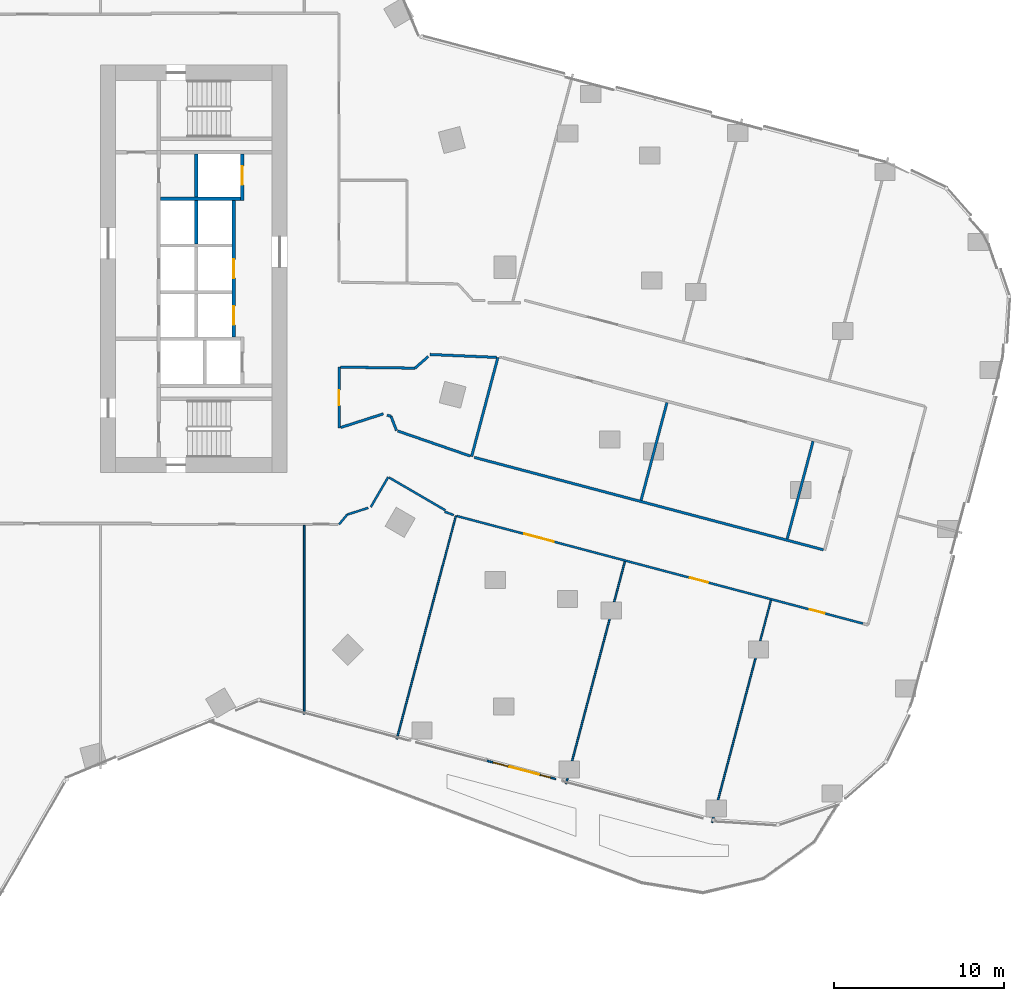
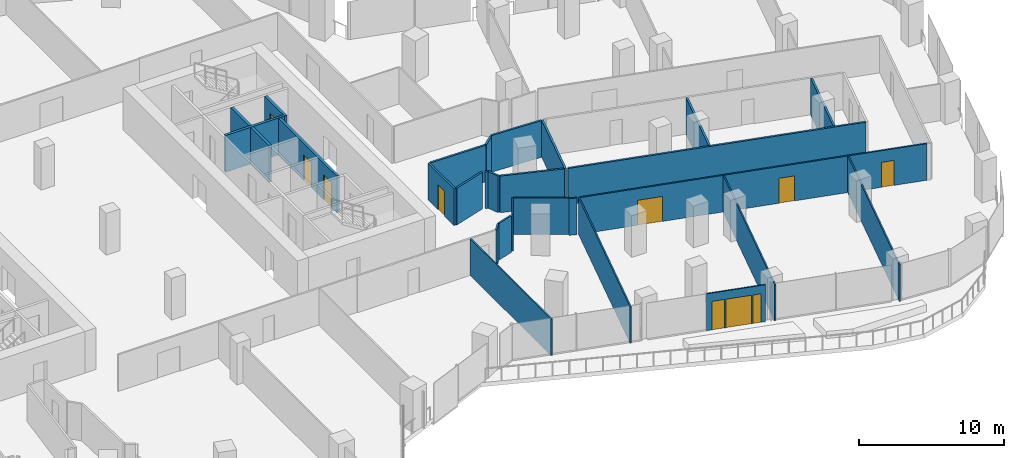
# One storey, part 25 of 34: 28 walls, 8 doors, 2 windows, 10 openings.
"""IFC4 building model written with IfcOpenShell, lengths in metres."""

from ifc_helpers import new_model, si_unit, direction, frame, frame_2d, origin, place, context, subcontext, project, spatial, rectangle, extrude, material, layer, layer_set, type_object, element, fill, save


model = new_model("IFC4")

# Units and contexts
model_context = context("Model", 3, precision=1e-05, world=origin(), true_north=direction((0.0, 1.0)))
body_context = subcontext(model_context, "Body", "Model", "MODEL_VIEW")
ifc_project = project(units=[si_unit("LENGTHUNIT", "METRE"), si_unit("AREAUNIT", "SQUARE_METRE"), si_unit("VOLUMEUNIT", "CUBIC_METRE"), si_unit("PLANEANGLEUNIT", "RADIAN"), si_unit("MASSUNIT", "GRAM", prefix="KILO")], contexts=[model_context])

# Site, building, storey
site_placement = place(None, origin())
site = spatial("IfcSite", under=ifc_project, at=site_placement, CompositionType="ELEMENT")
building_placement = place(site_placement, origin())
building = spatial("IfcBuilding", under=site, at=building_placement, Name="Orlundy Tower", CompositionType="ELEMENT")
storey_placement = place(building_placement, frame((0.0, 0.0, 102.199951171875)))
storey = spatial("IfcBuildingStorey", under=building, at=storey_placement, Name="L25", CompositionType="ELEMENT", Elevation=102.199951171875)

# Walls
ifc_material_1 = material(Name="Gypsum board partition")
ifc_layer_1 = layer(ifc_material_1, 0.10009765625)
ifc_layer_set_1 = layer_set([ifc_layer_1], Name="Floor partition 100")
wall_type_1 = type_object("IfcWallType", Name="Floor partition 100", PredefinedType="PARTITIONING", material=ifc_layer_set_1)
wall_1_placement = place(storey_placement, frame((44.01904296875, -32.60595703125, 0.0), z_axis=(0.0, 0.0, 1.0), x_axis=(0.25602242295, 0.966670843124, 0.0)))
element("IfcWall", 1, at=wall_1_placement, inside=storey, type_object=wall_type_1, Name="wall-int-L25-071", PredefinedType="PARTITIONING", context=body_context, shape_type="SweptSolid", body=[
    extrude(rectangle(XDim=13.5380859375, YDim=0.10009765625, at=frame_2d((6.76904296875, 0.0))), origin(), (0.0, 0.0, 1.0), 3.080078125),
])
wall_2_placement = place(storey_placement, frame((35.4169921875, -30.327880859375, 0.0), z_axis=(0.0, 0.0, 1.0), x_axis=(0.255955015068, 0.966688693562, 0.0)))
element("IfcWall", 2, at=wall_2_placement, inside=storey, type_object=wall_type_1, Name="wall-int-L25-074", PredefinedType="PARTITIONING", context=body_context, shape_type="SweptSolid", body=[
    extrude(rectangle(XDim=13.537841796875, YDim=0.10009765625, at=frame_2d((6.76904296875, 0.0))), origin(), (0.0, 0.0, 1.0), 3.080078125),
])
wall_3_placement = place(storey_placement, frame((25.452880859375, -27.68896484375, 0.0), z_axis=(0.0, 0.0, 1.0), x_axis=(0.255987300487, 0.966680144613, 0.0)))
element("IfcWall", 3, at=wall_3_placement, inside=storey, type_object=wall_type_1, Name="wall-int-L25-077", PredefinedType="PARTITIONING", context=body_context, shape_type="SweptSolid", body=[
    extrude(rectangle(XDim=13.59912109375, YDim=0.10009765625, at=frame_2d((6.799560546875, 0.0))), origin(), (0.0, 0.0, 1.0), 3.080078125),
])
wall_4_placement = place(storey_placement, frame((20.0, -26.2451171875, 0.0), z_axis=(0.0, 0.0, 1.0), x_axis=(0.0, 1.0, 0.0)))
element("IfcWall", 4, at=wall_4_placement, inside=storey, type_object=wall_type_1, Name="wall-int-L25-088", PredefinedType="PARTITIONING", context=body_context, shape_type="SweptSolid", body=[
    extrude(rectangle(XDim=11.131103515625, YDim=0.10009765625, at=frame_2d((5.5654296875, 0.0))), origin(), (0.0, 0.0, 1.0), 3.080078125),
])
ifc_material_2 = material(Name="Gypsum board partition, double layer")
ifc_layer_2 = layer(ifc_material_2, 0.125)
ifc_layer_set_2 = layer_set([ifc_layer_2], Name="Floor partition 125")
wall_type_2 = type_object("IfcWallType", Name="Floor partition 125", PredefinedType="PARTITIONING", material=ifc_layer_set_2)
wall_5_placement = place(storey_placement, frame((25.001953125, -12.29296875, 0.0), z_axis=(0.0, 0.0, 1.0), x_axis=(0.864207961663, -0.503134772201, 0.0)))
element("IfcWall", 5, at=wall_5_placement, inside=storey, type_object=wall_type_2, Name="wall-int-L25-008", PredefinedType="PARTITIONING", context=body_context, shape_type="SweptSolid", body=[
    extrude(rectangle(XDim=3.835693359375, YDim=0.125, at=frame_2d((1.91796875, 0.0))), origin(), (0.0, 0.0, 1.0), 3.080078125),
])
wall_6_placement = place(storey_placement, frame((28.27099609375, -14.303955078125, 0.0), z_axis=(0.0, 0.0, 1.0), x_axis=(0.936771746221, -0.34994098857, 0.0)))
element("IfcWall", 6, at=wall_6_placement, inside=storey, type_object=wall_type_2, Name="wall-int-L25-023", PredefinedType="PARTITIONING", context=body_context, shape_type="SweptSolid", body=[
    extrude(rectangle(XDim=0.56591796875, YDim=0.125, at=frame_2d((0.282958984375, 0.0))), origin(), (0.0, 0.0, 1.0), 3.080078125),
])

# Wall, openings, doors
wall_7_placement = place(storey_placement, frame((52.916015625, -20.89208984375, 0.0), z_axis=(0.0, 0.0, 1.0), x_axis=(-0.966698340064, 0.255918579469, 0.0)))
wall_7 = element("IfcWall", 7, at=wall_7_placement, inside=storey, type_object=wall_type_2, Name="wall-int-L25-027", PredefinedType="PARTITIONING", context=body_context, shape_type="SweptSolid", body=[
    extrude(rectangle(XDim=24.758544921875, YDim=0.125, at=frame_2d((12.37939453125, 0.0))), origin(), (0.0, 0.0, 1.0), 3.080078125),
])
opening_1_placement = place(wall_7_placement, frame((2.3505859375, 0.0, 0.0)))
opening_1 = element("IfcOpeningElement", 8, at=opening_1_placement, cuts=wall_7, Name="Opening 20106", PredefinedType="OPENING", context=body_context, shape_type="SweptSolid", body=[
    extrude(rectangle(XDim=0.89990234375, YDim=2.10009765625, at=frame_2d((0.449951171875, 1.050048828125))), frame((0.0, 0.072509765625, 0.0), z_axis=(0.0, -1.0, 0.0), x_axis=(1.0, 0.0, 0.0)), (0.0, 0.0, 1.0), 0.14501953125),
])
opening_2_placement = place(wall_7_placement, frame((18.850830078125, 0.0, 0.0)))
opening_2 = element("IfcOpeningElement", 9, at=opening_2_placement, cuts=wall_7, Name="Opening 20107", PredefinedType="OPENING", context=body_context, shape_type="SweptSolid", body=[
    extrude(rectangle(XDim=1.800048828125, YDim=2.10009765625, at=frame_2d((0.89990234375, 1.050048828125))), frame((0.0, 0.072509765625, 0.0), z_axis=(0.0, -1.0, 0.0), x_axis=(1.0, 0.0, 0.0)), (0.0, 0.0, 1.0), 0.14501953125),
])
opening_3_placement = place(wall_7_placement, frame((9.451416015625, 0.0, 0.0)))
opening_3 = element("IfcOpeningElement", 10, at=opening_3_placement, cuts=wall_7, Name="Opening 20108", PredefinedType="OPENING", context=body_context, shape_type="SweptSolid", body=[
    extrude(rectangle(XDim=1.10009765625, YDim=2.10009765625, at=frame_2d((0.550048828125, 1.050048828125))), frame((0.0, 0.072509765625, 0.0), z_axis=(0.0, -1.0, 0.0), x_axis=(1.0, 0.0, 0.0)), (0.0, 0.0, 1.0), 0.14501953125),
])
ifc_material_3 = material(Name="Timber door leaf", Category="wood")
door_type_1 = type_object("IfcDoorType", Name="Floor door double 1800 FD30S", OperationType="NOTDEFINED", PredefinedType="DOOR", material=ifc_material_3)
door_1_placement = place(opening_2_placement, origin())
door_1 = element("IfcDoor", 11, at=door_1_placement, inside=storey, type_object=door_type_1, Name="Door 20107", OperationType="DOUBLE_DOOR_SINGLE_SWING", OverallHeight=2.10009765625, OverallWidth=1.800048828125, PredefinedType="DOOR", context=body_context, shape_type="SweptSolid", body=[
    extrude(rectangle(XDim=1.800048828125, YDim=2.10009765625, at=frame_2d((0.89990234375, 1.050048828125))), frame((0.0, 0.02490234375, 0.0), z_axis=(0.0, -1.0, 0.0), x_axis=(1.0, 0.0, 0.0)), (0.0, 0.0, 1.0), 0.050048828125),
])
fill(opening_2, door_1)
ifc_material_4 = material(Name="Timber door leaf", Category="wood")
door_type_2 = type_object("IfcDoorType", Name="Floor door single 900 FD30S", OperationType="NOTDEFINED", PredefinedType="DOOR", material=ifc_material_4)
door_2_placement = place(opening_1_placement, origin())
door_2 = element("IfcDoor", 12, at=door_2_placement, inside=storey, type_object=door_type_2, Name="Door 20106", OperationType="SINGLE_SWING_LEFT", OverallHeight=2.10009765625, OverallWidth=0.89990234375, PredefinedType="DOOR", context=body_context, shape_type="SweptSolid", body=[
    extrude(rectangle(XDim=0.89990234375, YDim=2.10009765625, at=frame_2d((0.449951171875, 1.050048828125))), frame((0.0, 0.02490234375, 0.0), z_axis=(0.0, -1.0, 0.0), x_axis=(1.0, 0.0, 0.0)), (0.0, 0.0, 1.0), 0.050048828125),
])
fill(opening_1, door_2)
ifc_material_5 = material(Name="Timber door leaf", Category="wood")
door_type_3 = type_object("IfcDoorType", Name="Floor door xwide 1100 FD30S", OperationType="NOTDEFINED", PredefinedType="DOOR", material=ifc_material_5)
door_3_placement = place(opening_3_placement, origin())
door_3 = element("IfcDoor", 13, at=door_3_placement, inside=storey, type_object=door_type_3, Name="Door 20108", OperationType="SINGLE_SWING_LEFT", OverallHeight=2.10009765625, OverallWidth=1.10009765625, PredefinedType="DOOR", context=body_context, shape_type="SweptSolid", body=[
    extrude(rectangle(XDim=1.10009765625, YDim=2.10009765625, at=frame_2d((0.550048828125, 1.050048828125))), frame((0.0, 0.02490234375, 0.0), z_axis=(0.0, -1.0, 0.0), x_axis=(1.0, 0.0, 0.0)), (0.0, 0.0, 1.0), 0.050048828125),
])
fill(opening_3, door_3)

# Walls
wall_8_placement = place(storey_placement, frame((22.533935546875, -14.472900390625, 0.0), z_axis=(0.0, 0.0, 1.0), x_axis=(0.952378042639, 0.304919766331, 0.0)))
element("IfcWall", 14, at=wall_8_placement, inside=storey, type_object=wall_type_2, Name="wall-int-L25-052", PredefinedType="PARTITIONING", context=body_context, shape_type="SweptSolid", body=[
    extrude(rectangle(XDim=1.29150390625, YDim=0.125, at=frame_2d((0.645751953125, 0.0))), origin(), (0.0, 0.0, 1.0), 3.080078125),
])
wall_9_placement = place(storey_placement, frame((23.9189453125, -14.029052734375, 0.0), z_axis=(0.0, 0.0, 1.0), x_axis=(0.503232487024, 0.864151065499, 0.0)))
element("IfcWall", 15, at=wall_9_placement, inside=storey, type_object=wall_type_2, Name="wall-int-L25-055", PredefinedType="PARTITIONING", context=body_context, shape_type="SweptSolid", body=[
    extrude(rectangle(XDim=2.044921875, YDim=0.125, at=frame_2d((1.0224609375, 0.0))), origin(), (0.0, 0.0, 1.0), 3.080078125),
])
wall_10_placement = place(storey_placement, frame((22.051025390625, -15.050048828125, 0.0), z_axis=(0.0, 0.0, 1.0), x_axis=(0.641714843871, 0.766943321997, 0.0)))
element("IfcWall", 16, at=wall_10_placement, inside=storey, type_object=wall_type_2, Name="wall-int-L25-085", PredefinedType="PARTITIONING", context=body_context, shape_type="SweptSolid", body=[
    extrude(rectangle(XDim=0.75244140625, YDim=0.125, at=frame_2d((0.376220703125, 0.0))), origin(), (0.0, 0.0, 1.0), 3.080078125),
])
ifc_material_6 = material(Name="Blockwork shaft wall", Category="masonry")
ifc_layer_3 = layer(ifc_material_6, 0.14990234375)
ifc_layer_set_3 = layer_set([ifc_layer_3], Name="Floor shaft wall 150")
wall_type_3 = type_object("IfcWallType", Name="Floor shaft wall 150", PredefinedType="PARTITIONING", material=ifc_layer_set_3)
wall_11_placement = place(storey_placement, frame((29.787109375, -11.029052734375, 0.0), z_axis=(0.0, 0.0, 1.0), x_axis=(-0.945116082169, 0.326734741381, 0.0)))
element("IfcWall", 17, at=wall_11_placement, inside=storey, type_object=wall_type_3, Name="wall-int-L25-024", PredefinedType="PARTITIONING", context=body_context, shape_type="SweptSolid", body=[
    extrude(rectangle(XDim=4.529541015625, YDim=0.14990234375, at=frame_2d((2.2646484375, 0.0))), origin(), (0.0, 0.0, 1.0), 3.080078125),
])
wall_12_placement = place(storey_placement, frame((24.881103515625, -8.613037109375, 0.0), z_axis=(0.0, 0.0, 1.0), x_axis=(0.953138161639, -0.302535361285, 0.0)))
element("IfcWall", 18, at=wall_12_placement, inside=storey, type_object=wall_type_3, Name="wall-int-L25-025", PredefinedType="PARTITIONING", context=body_context, shape_type="SweptSolid", body=[
    extrude(rectangle(XDim=0.2412109375, YDim=0.14990234375, at=frame_2d((0.12060546875, 0.0))), origin(), (0.0, 0.0, 1.0), 3.080078125),
])
wall_13_placement = place(storey_placement, frame((30.01611328125, -11.10400390625, 0.0), z_axis=(0.0, 0.0, 1.0), x_axis=(0.966689773776, -0.255950935293, 0.0)))
element("IfcWall", 19, at=wall_13_placement, inside=storey, type_object=wall_type_3, Name="wall-int-L25-028", PredefinedType="PARTITIONING", context=body_context, shape_type="SweptSolid", body=[
    extrude(rectangle(XDim=21.266357421875, YDim=0.14990234375, at=frame_2d((10.63330078125, 0.0))), origin(), (0.0, 0.0, 1.0), 3.080078125),
])
wall_14_placement = place(storey_placement, frame((27.412109375, -5.044921875, 0.0), z_axis=(0.0, 0.0, 1.0), x_axis=(0.999048944575, -0.043602824945, 0.0)))
element("IfcWall", 20, at=wall_14_placement, inside=storey, type_object=wall_type_3, Name="wall-int-L25-032", PredefinedType="PARTITIONING", context=body_context, shape_type="SweptSolid", body=[
    extrude(rectangle(XDim=3.902587890625, YDim=0.14990234375, at=frame_2d((1.951171875, 0.0))), origin(), (0.0, 0.0, 1.0), 3.080078125),
])
wall_15_placement = place(storey_placement, frame((22.1259765625, -5.7890625, 0.0), z_axis=(0.0, 0.0, 1.0), x_axis=(0.999903670382, -0.013879839955, 0.0)))
element("IfcWall", 21, at=wall_15_placement, inside=storey, type_object=wall_type_3, Name="wall-int-L25-035", PredefinedType="PARTITIONING", context=body_context, shape_type="SweptSolid", body=[
    extrude(rectangle(XDim=4.3974609375, YDim=0.14990234375, at=frame_2d((2.19873046875, 0.0))), origin(), (0.0, 0.0, 1.0), 3.080078125),
])
wall_16_placement = place(storey_placement, frame((22.14892578125, -9.344970703125, 0.0), z_axis=(0.0, 0.0, 1.0), x_axis=(0.952306801054, 0.305142190899, 0.0)))
element("IfcWall", 22, at=wall_16_placement, inside=storey, type_object=wall_type_3, Name="wall-int-L25-053", PredefinedType="PARTITIONING", context=body_context, shape_type="SweptSolid", body=[
    extrude(rectangle(XDim=2.634765625, YDim=0.14990234375, at=frame_2d((1.3173828125, 0.0))), origin(), (0.0, 0.0, 1.0), 3.080078125),
])
wall_17_placement = place(storey_placement, frame((25.43505859375, -9.52490234375, 0.0), z_axis=(0.0, 0.0, 1.0), x_axis=(-0.360270423637, 0.932847909282, 0.0)))
element("IfcWall", 23, at=wall_17_placement, inside=storey, type_object=wall_type_3, Name="wall-int-L25-067", PredefinedType="PARTITIONING", context=body_context, shape_type="SweptSolid", body=[
    extrude(rectangle(XDim=0.899169921875, YDim=0.14990234375, at=frame_2d((0.44970703125, 0.0))), origin(), (0.0, 0.0, 1.0), 3.080078125),
])
wall_18_placement = place(storey_placement, frame((48.44189453125, -15.905029296875, 0.0), z_axis=(0.0, 0.0, 1.0), x_axis=(0.256111443265, 0.96664726174, 0.0)))
element("IfcWall", 24, at=wall_18_placement, inside=storey, type_object=wall_type_3, Name="wall-int-L25-072", PredefinedType="PARTITIONING", context=body_context, shape_type="SweptSolid", body=[
    extrude(rectangle(XDim=5.947265625, YDim=0.14990234375, at=frame_2d((2.9736328125, 0.0))), origin(), (0.0, 0.0, 1.0), 3.080078125),
])
wall_19_placement = place(storey_placement, frame((39.839111328125, -13.626953125, 0.0), z_axis=(0.0, 0.0, 1.0), x_axis=(0.256032445662, 0.966668188557, 0.0)))
element("IfcWall", 25, at=wall_19_placement, inside=storey, type_object=wall_type_3, Name="wall-int-L25-075", PredefinedType="PARTITIONING", context=body_context, shape_type="SweptSolid", body=[
    extrude(rectangle(XDim=5.9482421875, YDim=0.14990234375, at=frame_2d((2.97412109375, 0.0))), origin(), (0.0, 0.0, 1.0), 3.080078125),
])
wall_20_placement = place(storey_placement, frame((29.85791015625, -11.052978515625, 0.0), z_axis=(0.0, 0.0, 1.0), x_axis=(0.256179404859, 0.966629252882, 0.0)))
element("IfcWall", 26, at=wall_20_placement, inside=storey, type_object=wall_type_3, Name="wall-int-L25-078", PredefinedType="PARTITIONING", context=body_context, shape_type="SweptSolid", body=[
    extrude(rectangle(XDim=6.035400390625, YDim=0.14990234375, at=frame_2d((3.017578125, 0.0))), origin(), (0.0, 0.0, 1.0), 3.080078125),
])
wall_21_placement = place(storey_placement, frame((26.52294921875, -5.85009765625, 0.0), z_axis=(0.0, 0.0, 1.0), x_axis=(0.750616003207, 0.660738689446, 0.0)))
element("IfcWall", 27, at=wall_21_placement, inside=storey, type_object=wall_type_3, Name="wall-int-L25-083", PredefinedType="PARTITIONING", context=body_context, shape_type="SweptSolid", body=[
    extrude(rectangle(XDim=1.04296875, YDim=0.14990234375, at=frame_2d((0.521484375, 0.0))), origin(), (0.0, 0.0, 1.0), 3.080078125),
])

# Wall, opening, door
wall_22_placement = place(storey_placement, frame((22.051025390625, -5.7880859375, 0.0), z_axis=(0.0, 0.0, 1.0), x_axis=(0.0, -1.0, 0.0)))
wall_22 = element("IfcWall", 28, at=wall_22_placement, inside=storey, type_object=wall_type_3, Name="wall-int-L25-086", PredefinedType="PARTITIONING", context=body_context, shape_type="SweptSolid", body=[
    extrude(rectangle(XDim=3.587890625, YDim=0.14990234375, at=frame_2d((1.7939453125, 0.0))), origin(), (0.0, 0.0, 1.0), 3.080078125),
])
opening_4_placement = place(wall_22_placement, frame((1.35009765625, 0.0, 0.0)))
opening_4 = element("IfcOpeningElement", 29, at=opening_4_placement, cuts=wall_22, Name="Opening 20120", PredefinedType="OPENING", context=body_context, shape_type="SweptSolid", body=[
    extrude(rectangle(XDim=0.89990234375, YDim=2.10009765625, at=frame_2d((0.449951171875, 1.050048828125))), frame((0.0, 0.0849609375, 0.0), z_axis=(0.0, -1.0, 0.0), x_axis=(1.0, 0.0, 0.0)), (0.0, 0.0, 1.0), 0.169921875),
])
ifc_material_7 = material(Name="Timber door leaf", Category="wood")
door_type_4 = type_object("IfcDoorType", Name="Floor door single 900 FD60", OperationType="NOTDEFINED", PredefinedType="DOOR", material=ifc_material_7)
door_4_placement = place(opening_4_placement, origin())
door_4 = element("IfcDoor", 30, at=door_4_placement, inside=storey, type_object=door_type_4, Name="Door 20120", OperationType="SINGLE_SWING_RIGHT", OverallHeight=2.10009765625, OverallWidth=0.89990234375, PredefinedType="DOOR", context=body_context, shape_type="SweptSolid", body=[
    extrude(rectangle(XDim=0.89990234375, YDim=2.10009765625, at=frame_2d((0.449951171875, 1.050048828125))), frame((0.0, 0.02490234375, 0.0), z_axis=(0.0, -1.0, 0.0), x_axis=(1.0, 0.0, 0.0)), (0.0, 0.0, 1.0), 0.050048828125),
])
fill(opening_4, door_4)

# Wall, openings, windows, door
ifc_material_8 = material(Name="Aluminium bronze and tinted glass", Category="aluminium")
ifc_layer_4 = layer(ifc_material_8, 0.10009765625)
ifc_layer_set_4 = layer_set([ifc_layer_4], Name="Glazed door screen")
wall_type_4 = type_object("IfcWallType", Name="Glazed door screen", PredefinedType="STANDARD", material=ifc_layer_set_4)
wall_23_placement = place(storey_placement, frame((34.810791015625, -30.043212890625, 0.0), z_axis=(0.0, 0.0, 1.0), x_axis=(-0.966670614425, 0.256023286456, 0.0)))
wall_23 = element("IfcWall", 31, at=wall_23_placement, inside=storey, type_object=wall_type_4, Name="Glazed door screen", PredefinedType="STANDARD", context=body_context, shape_type="SweptSolid", body=[
    extrude(rectangle(XDim=4.209228515625, YDim=0.10009765625, at=frame_2d((2.1044921875, 0.0))), origin(), (0.0, 0.0, 1.0), 3.10009765625),
])
opening_5_placement = place(wall_23_placement, frame((1.01904296875, 0.0, 0.0)))
opening_5 = element("IfcOpeningElement", 32, at=opening_5_placement, cuts=wall_23, Name="Opening 20940", PredefinedType="OPENING", context=body_context, shape_type="SweptSolid", body=[
    extrude(rectangle(XDim=1.800048828125, YDim=2.39990234375, at=frame_2d((0.89990234375, 1.199951171875))), frame((0.0, 0.06005859375, 0.0), z_axis=(0.0, -1.0, 0.0), x_axis=(1.0, 0.0, 0.0)), (0.0, 0.0, 1.0), 0.1201171875),
])
opening_6_placement = place(wall_23_placement, frame((0.319091796875, 0.0, 0.0)))
opening_6 = element("IfcOpeningElement", 33, at=opening_6_placement, cuts=wall_23, Name="Opening W01", PredefinedType="OPENING", context=body_context, shape_type="SweptSolid", body=[
    extrude(rectangle(XDim=0.60009765625, YDim=2.39990234375, at=frame_2d((0.300048828125, 1.199951171875))), frame((0.0, 0.06005859375, 0.0), z_axis=(0.0, -1.0, 0.0), x_axis=(1.0, 0.0, 0.0)), (0.0, 0.0, 1.0), 0.1201171875),
])
opening_7_placement = place(wall_23_placement, frame((2.9189453125, 0.0, 0.0)))
opening_7 = element("IfcOpeningElement", 34, at=opening_7_placement, cuts=wall_23, Name="Opening W02", PredefinedType="OPENING", context=body_context, shape_type="SweptSolid", body=[
    extrude(rectangle(XDim=0.89990234375, YDim=2.39990234375, at=frame_2d((0.449951171875, 1.199951171875))), frame((0.0, 0.06005859375, 0.0), z_axis=(0.0, -1.0, 0.0), x_axis=(1.0, 0.0, 0.0)), (0.0, 0.0, 1.0), 0.1201171875),
])
ifc_material_9 = material(Name="Tinted glass in bronze aluminium frame", Category="aluminium")
window_type_1 = type_object("IfcWindowType", Name="SL1 sidelight 600x2400", PartitioningType="SINGLE_PANEL", PredefinedType="WINDOW", material=ifc_material_9)
window_1_placement = place(opening_6_placement, origin())
window_1 = element("IfcWindow", 35, at=window_1_placement, inside=storey, type_object=window_type_1, Name="Window W01 L25", OverallHeight=2.39990234375, OverallWidth=0.60009765625, PartitioningType="SINGLE_PANEL", PredefinedType="WINDOW", context=body_context, shape_type="SweptSolid", body=[
    extrude(rectangle(XDim=0.60009765625, YDim=2.39990234375, at=frame_2d((0.300048828125, 1.199951171875))), frame((0.0, 0.030029296875, 0.0), z_axis=(0.0, -1.0, 0.0), x_axis=(1.0, 0.0, 0.0)), (0.0, 0.0, 1.0), 0.06005859375),
])
fill(opening_6, window_1)
ifc_material_10 = material(Name="Tinted glass in bronze aluminium frame", Category="aluminium")
window_type_2 = type_object("IfcWindowType", Name="SL2 sidelight 900x2400", PartitioningType="SINGLE_PANEL", PredefinedType="WINDOW", material=ifc_material_10)
window_2_placement = place(opening_7_placement, origin())
window_2 = element("IfcWindow", 36, at=window_2_placement, inside=storey, type_object=window_type_2, Name="Window W02 L25", OverallHeight=2.39990234375, OverallWidth=0.89990234375, PartitioningType="SINGLE_PANEL", PredefinedType="WINDOW", context=body_context, shape_type="SweptSolid", body=[
    extrude(rectangle(XDim=0.89990234375, YDim=2.39990234375, at=frame_2d((0.449951171875, 1.199951171875))), frame((0.0, 0.030029296875, 0.0), z_axis=(0.0, -1.0, 0.0), x_axis=(1.0, 0.0, 0.0)), (0.0, 0.0, 1.0), 0.06005859375),
])
fill(opening_7, window_2)
ifc_material_11 = material(Name="Aluminium bronze and tinted glass", Category="aluminium")
door_type_5 = type_object("IfcDoorType", Name="TD1 terrace door 1800x2400", OperationType="NOTDEFINED", PredefinedType="DOOR", material=ifc_material_11)
door_5_placement = place(opening_5_placement, origin())
door_5 = element("IfcDoor", 37, at=door_5_placement, inside=storey, type_object=door_type_5, Name="Door 20940", OperationType="DOUBLE_DOOR_SINGLE_SWING", OverallHeight=2.39990234375, OverallWidth=1.800048828125, PredefinedType="DOOR", context=body_context, shape_type="SweptSolid", body=[
    extrude(rectangle(XDim=1.800048828125, YDim=2.39990234375, at=frame_2d((0.89990234375, 1.199951171875))), frame((0.0, 0.02490234375, 0.0), z_axis=(0.0, -1.0, 0.0), x_axis=(1.0, 0.0, 0.0)), (0.0, 0.0, 1.0), 0.050048828125),
])
fill(opening_5, door_5)

# Walls
ifc_material_12 = material(Name="Fire-rated blockwork shaft wall", Category="masonry")
ifc_layer_5 = layer(ifc_material_12, 0.199951171875)
ifc_layer_set_5 = layer_set([ifc_layer_5], Name="Shaft Wall 200")
wall_type_5 = type_object("IfcWallType", Name="Shaft Wall 200", PredefinedType="SOLIDWALL", material=ifc_layer_set_5)
wall_24_placement = place(storey_placement, frame((11.5400390625, 4.125, 0.0), z_axis=(0.0, 0.0, 1.0), x_axis=(1.0, 0.0, 0.0)))
element("IfcWall", 38, at=wall_24_placement, inside=storey, type_object=wall_type_5, Name="Shaft wall E20-cross-4.125", PredefinedType="SOLIDWALL", context=body_context, shape_type="SweptSolid", body=[
    extrude(rectangle(XDim=4.699951171875, YDim=0.199951171875, at=frame_2d((2.35009765625, 0.0))), origin(), (0.0, 0.0, 1.0), 3.090087890625),
])
for number, where, z_axis, x_axis, name in (
    (39, (13.639892578125, 6.77490234375, 0.0), (0.0, 0.0, 1.0), (0.0, -1.0, 0.0), "Shaft wall E20-mid-a"),
    (40, (13.639892578125, 4.02490234375, 0.0), (0.0, 0.0, 1.0), (0.0, -1.0, 0.0), "Shaft wall E20-mid-a.1"),
):
    element("IfcWall", number, at=place(storey_placement, frame(where, z_axis=z_axis, x_axis=x_axis)), inside=storey, type_object=wall_type_5, Name=name, PredefinedType="SOLIDWALL", context=body_context, shape_type="SweptSolid", body=[
        extrude(rectangle(XDim=2.5498046875, YDim=0.199951171875, at=frame_2d((1.27490234375, 0.0))), origin(), (0.0, 0.0, 1.0), 3.090087890625),
    ])

# Wall, opening, door
wall_25_placement = place(storey_placement, frame((16.340087890625, 6.77490234375, 0.0), z_axis=(0.0, 0.0, 1.0), x_axis=(0.0, -1.0, 0.0)))
wall_25 = element("IfcWall", 41, at=wall_25_placement, inside=storey, type_object=wall_type_5, Name="Shaft wall E20-front-o-a", PredefinedType="SOLIDWALL", context=body_context, shape_type="SweptSolid", body=[
    extrude(rectangle(XDim=2.75, YDim=0.199951171875, at=frame_2d((1.375, 0.0))), origin(), (0.0, 0.0, 1.0), 3.090087890625),
])
opening_8_placement = place(wall_25_placement, frame((0.72509765625, 0.0, 0.0)))
opening_8 = element("IfcOpeningElement", 42, at=opening_8_placement, cuts=wall_25, Name="Opening 20050", PredefinedType="OPENING", context=body_context, shape_type="SweptSolid", body=[
    extrude(rectangle(XDim=1.10009765625, YDim=2.10009765625, at=frame_2d((0.550048828125, 1.050048828125))), frame((0.0, 0.110107421875, 0.0), z_axis=(0.0, -1.0, 0.0), x_axis=(1.0, 0.0, 0.0)), (0.0, 0.0, 1.0), 0.22021484375),
])
ifc_material_13 = material(Name="Steel door set", Category="steel")
door_type_6 = type_object("IfcDoorType", Name="Landing Door 1100x2100", OperationType="DOUBLE_DOOR_SLIDING", PredefinedType="DOOR", material=ifc_material_13)
door_6_placement = place(opening_8_placement, origin())
door_6 = element("IfcDoor", 43, at=door_6_placement, inside=storey, type_object=door_type_6, Name="Lift landing door LV-02 20050", OperationType="DOUBLE_DOOR_SLIDING", OverallHeight=2.10009765625, OverallWidth=1.10009765625, PredefinedType="DOOR", context=body_context, shape_type="SweptSolid", body=[
    extrude(rectangle(XDim=1.10009765625, YDim=2.10009765625, at=frame_2d((0.550048828125, 1.050048828125))), frame((0.0, 0.02490234375, 0.0), z_axis=(0.0, -1.0, 0.0), x_axis=(1.0, 0.0, 0.0)), (0.0, 0.0, 1.0), 0.050048828125),
])
fill(opening_8, door_6)

# Wall, openings, doors
wall_26_placement = place(storey_placement, frame((15.840087890625, 4.02490234375, 0.0), z_axis=(0.0, 0.0, 1.0), x_axis=(0.0, -1.0, 0.0)))
wall_26 = element("IfcWall", 44, at=wall_26_placement, inside=storey, type_object=wall_type_5, Name="Shaft wall E20-front-o-b", PredefinedType="SOLIDWALL", context=body_context, shape_type="SweptSolid", body=[
    extrude(rectangle(XDim=8.0498046875, YDim=0.199951171875, at=frame_2d((4.02490234375, 0.0))), origin(), (0.0, 0.0, 1.0), 3.090087890625),
])
opening_9_placement = place(wall_26_placement, frame((3.47509765625, 0.0, 0.0)))
opening_9 = element("IfcOpeningElement", 45, at=opening_9_placement, cuts=wall_26, Name="Opening 20052", PredefinedType="OPENING", context=body_context, shape_type="SweptSolid", body=[
    extrude(rectangle(XDim=1.10009765625, YDim=2.10009765625, at=frame_2d((0.550048828125, 1.050048828125))), frame((0.0, 0.110107421875, 0.0), z_axis=(0.0, -1.0, 0.0), x_axis=(1.0, 0.0, 0.0)), (0.0, 0.0, 1.0), 0.22021484375),
])
opening_10_placement = place(wall_26_placement, frame((6.22509765625, 0.0, 0.0)))
opening_10 = element("IfcOpeningElement", 46, at=opening_10_placement, cuts=wall_26, Name="Opening 20054", PredefinedType="OPENING", context=body_context, shape_type="SweptSolid", body=[
    extrude(rectangle(XDim=1.10009765625, YDim=2.10009765625, at=frame_2d((0.550048828125, 1.050048828125))), frame((0.0, 0.110107421875, 0.0), z_axis=(0.0, -1.0, 0.0), x_axis=(1.0, 0.0, 0.0)), (0.0, 0.0, 1.0), 0.22021484375),
])
door_7_placement = place(opening_9_placement, origin())
door_7 = element("IfcDoor", 47, at=door_7_placement, inside=storey, type_object=door_type_6, Name="Lift landing door LP-06 20052", OperationType="DOUBLE_DOOR_SLIDING", OverallHeight=2.10009765625, OverallWidth=1.10009765625, PredefinedType="DOOR", context=body_context, shape_type="SweptSolid", body=[
    extrude(rectangle(XDim=1.10009765625, YDim=2.10009765625, at=frame_2d((0.550048828125, 1.050048828125))), frame((0.0, 0.02490234375, 0.0), z_axis=(0.0, -1.0, 0.0), x_axis=(1.0, 0.0, 0.0)), (0.0, 0.0, 1.0), 0.050048828125),
])
fill(opening_9, door_7)
door_8_placement = place(opening_10_placement, origin())
door_8 = element("IfcDoor", 48, at=door_8_placement, inside=storey, type_object=door_type_6, Name="Lift landing door LP-08 20054", OperationType="DOUBLE_DOOR_SLIDING", OverallHeight=2.10009765625, OverallWidth=1.10009765625, PredefinedType="DOOR", context=body_context, shape_type="SweptSolid", body=[
    extrude(rectangle(XDim=1.10009765625, YDim=2.10009765625, at=frame_2d((0.550048828125, 1.050048828125))), frame((0.0, 0.02490234375, 0.0), z_axis=(0.0, -1.0, 0.0), x_axis=(1.0, 0.0, 0.0)), (0.0, 0.0, 1.0), 0.050048828125),
])
fill(opening_10, door_8)

save(model, "model.ifc")
